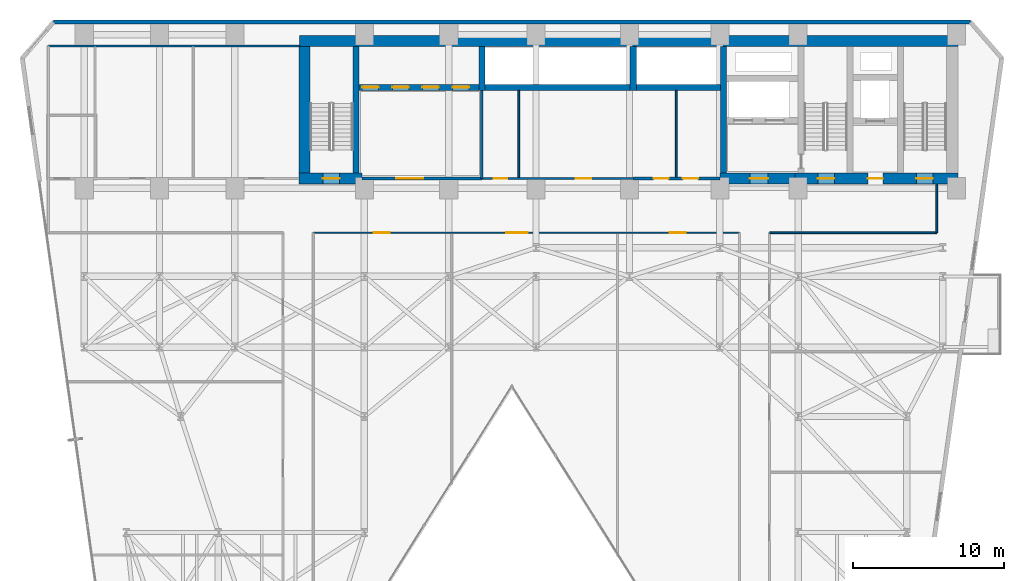
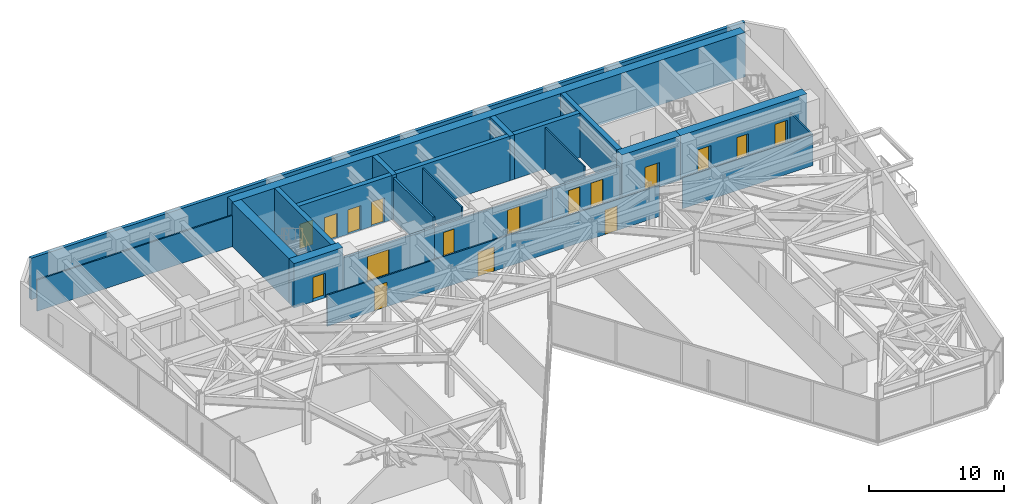
# One storey, part 20 of 25: 23 walls, 17 doors, 17 openings.
"""IFC4 building model written with IfcOpenShell, lengths in metres."""

from ifc_helpers import new_model, si_unit, direction, frame, frame_2d, origin, place, context, subcontext, project, spatial, rectangle, extrude, material, layer, layer_set, type_object, element, fill, save


model = new_model("IFC4")

# Units and contexts
model_context = context("Model", 3, precision=1e-05, world=origin(), true_north=direction((0.0, 1.0)))
body_context = subcontext(model_context, "Body", "Model", "MODEL_VIEW")
ifc_project = project(units=[si_unit("LENGTHUNIT", "METRE"), si_unit("AREAUNIT", "SQUARE_METRE"), si_unit("VOLUMEUNIT", "CUBIC_METRE"), si_unit("PLANEANGLEUNIT", "RADIAN"), si_unit("MASSUNIT", "GRAM", prefix="KILO")], contexts=[model_context])

# Site, building, storey
site_placement = place(None, origin())
site = spatial("IfcSite", under=ifc_project, at=site_placement, CompositionType="ELEMENT")
building_placement = place(site_placement, origin())
building = spatial("IfcBuilding", under=site, at=building_placement, Name="Kravanh Interchange Tower", CompositionType="ELEMENT")
storey_placement = place(building_placement, frame((0.0, 0.0, 41.5)))
storey = spatial("IfcBuildingStorey", under=building, at=storey_placement, Name="L09", CompositionType="ELEMENT", Elevation=41.5)

# Walls
ifc_material_1 = material(Name="Double Acoustic Gypsum Board and Mineral Wool")
ifc_layer_1 = layer(ifc_material_1, 0.1201171875)
ifc_layer_set_1 = layer_set([ifc_layer_1], Name="Acoustic Office Drywall Partition 120mm")
wall_type_1 = type_object("IfcWallType", Name="Acoustic Office Drywall Partition 120mm", PredefinedType="PARTITIONING", material=ifc_layer_set_1)
for number, where, z_axis, x_axis, name in (
    (1, (47.89990234375, 38.068115234375, 0.0), (0.0, 0.0, 1.0), (0.0, 1.0, 0.0), "L09 Interior Partition 2"),
    (2, (37.449951171875, 38.068115234375, 0.0), (0.0, 0.0, 1.0), (0.0, 1.0, 0.0), "L09 Interior Partition 6"),
):
    element("IfcWall", number, at=place(storey_placement, frame(where, z_axis=z_axis, x_axis=x_axis)), inside=storey, type_object=wall_type_1, Name=name, PredefinedType="PARTITIONING", context=body_context, shape_type="SweptSolid", body=[
        extrude(rectangle(XDim=5.77392578125, YDim=0.1201171875, at=frame_2d((2.886962890625, 0.0))), origin(), (0.0, 0.0, 1.0), 3.739990234375),
    ])
wall_1_placement = place(storey_placement, frame((6.219970703125, 46.800048828125, 0.0), z_axis=(0.0, 0.0, 1.0), x_axis=(1.0, 0.0, 0.0)))
element("IfcWall", 3, at=wall_1_placement, inside=storey, type_object=wall_type_1, Name="L09 Restroom North Enclosure 9", PredefinedType="PARTITIONING", context=body_context, shape_type="SweptSolid", body=[
    extrude(rectangle(XDim=16.679931640625, YDim=0.1201171875, at=frame_2d((8.33984375, 0.0))), origin(), (0.0, 0.0, 1.0), 2.81298828125),
])

# Wall, openings, doors
wall_2_placement = place(storey_placement, frame((23.800048828125, 34.39990234375, 0.0), z_axis=(0.0, 0.0, 1.0), x_axis=(1.0, 0.0, 0.0)))
wall_2 = element("IfcWall", 4, at=wall_2_placement, inside=storey, type_object=wall_type_1, Name="L09 Interior Partition 14", PredefinedType="PARTITIONING", context=body_context, shape_type="SweptSolid", body=[
    extrude(rectangle(XDim=28.300048828125, YDim=0.1201171875, at=frame_2d((14.14990234375, 0.0))), origin(), (0.0, 0.0, 1.0), 2.81298828125),
])
opening_1_placement = place(wall_2_placement, frame((4.03466796875, 0.0, 0.0)))
opening_1 = element("IfcOpeningElement", 5, at=opening_1_placement, cuts=wall_2, Name="Opening D-105", PredefinedType="OPENING", context=body_context, shape_type="SweptSolid", body=[
    extrude(rectangle(XDim=1.050048828125, YDim=2.199951171875, at=frame_2d((0.52490234375, 1.10009765625))), frame((0.0, 0.070068359375, 0.0), z_axis=(0.0, -1.0, 0.0), x_axis=(1.0, 0.0, 0.0)), (0.0, 0.0, 1.0), 0.14013671875),
])
opening_2_placement = place(wall_2_placement, frame((12.832275390625, 0.0, 0.0)))
opening_2 = element("IfcOpeningElement", 6, at=opening_2_placement, cuts=wall_2, Name="Opening DBL-140", PredefinedType="OPENING", context=body_context, shape_type="SweptSolid", body=[
    extrude(rectangle(XDim=1.39990234375, YDim=2.199951171875, at=frame_2d((0.699951171875, 1.10009765625))), frame((0.0, 0.070068359375, 0.0), z_axis=(0.0, -1.0, 0.0), x_axis=(1.0, 0.0, 0.0)), (0.0, 0.0, 1.0), 0.14013671875),
])
opening_3_placement = place(wall_2_placement, frame((23.6845703125, 0.0, 0.0)))
opening_3 = element("IfcOpeningElement", 7, at=opening_3_placement, cuts=wall_2, Name="Opening D-105", PredefinedType="OPENING", context=body_context, shape_type="SweptSolid", body=[
    extrude(rectangle(XDim=1.050048828125, YDim=2.199951171875, at=frame_2d((0.52490234375, 1.10009765625))), frame((0.0, 0.070068359375, 0.0), z_axis=(0.0, -1.0, 0.0), x_axis=(1.0, 0.0, 0.0)), (0.0, 0.0, 1.0), 0.14013671875),
])
ifc_material_2 = material(Name="Acoustic Bronze-Framed Glass", Category="glass")
door_type_1 = type_object("IfcDoorType", Name="Hospitality Lounge Double Door 1400x2200", OperationType="DOUBLE_DOOR_SINGLE_SWING", PredefinedType="DOOR", material=ifc_material_2)
door_1_placement = place(opening_2_placement, origin())
door_1 = element("IfcDoor", 8, at=door_1_placement, inside=storey, type_object=door_type_1, Name="L09 Design Studio Office Door", OperationType="DOUBLE_DOOR_SINGLE_SWING", OverallHeight=2.199951171875, OverallWidth=1.39990234375, PredefinedType="DOOR", context=body_context, shape_type="SweptSolid", body=[
    extrude(rectangle(XDim=1.39990234375, YDim=2.199951171875, at=frame_2d((0.699951171875, 1.10009765625))), frame((0.0, 0.02490234375, 0.0), z_axis=(0.0, -1.0, 0.0), x_axis=(1.0, 0.0, 0.0)), (0.0, 0.0, 1.0), 0.050048828125),
])
fill(opening_2, door_1)
ifc_material_3 = material(Name="Acoustic Glazed Oak and Aluminium", Category="aluminium")
door_type_2 = type_object("IfcDoorType", Name="Office Workplace Door 1050x2200", OperationType="NOTDEFINED", PredefinedType="DOOR", material=ifc_material_3)
door_2_placement = place(opening_1_placement, origin())
door_2 = element("IfcDoor", 9, at=door_2_placement, inside=storey, type_object=door_type_2, Name="L09 Central Townhall Meeting Hall Door", OperationType="SINGLE_SWING_RIGHT", OverallHeight=2.199951171875, OverallWidth=1.050048828125, PredefinedType="DOOR", context=body_context, shape_type="SweptSolid", body=[
    extrude(rectangle(XDim=1.050048828125, YDim=2.199951171875, at=frame_2d((0.52490234375, 1.10009765625))), frame((0.0, 0.02490234375, 0.0), z_axis=(0.0, -1.0, 0.0), x_axis=(1.0, 0.0, 0.0)), (0.0, 0.0, 1.0), 0.050048828125),
])
fill(opening_1, door_2)
door_3_placement = place(opening_3_placement, origin())
door_3 = element("IfcDoor", 10, at=door_3_placement, inside=storey, type_object=door_type_2, Name="L09 Espresso Pantry Kitchenette Door", OperationType="SINGLE_SWING_LEFT", OverallHeight=2.199951171875, OverallWidth=1.050048828125, PredefinedType="DOOR", context=body_context, shape_type="SweptSolid", body=[
    extrude(rectangle(XDim=1.050048828125, YDim=2.199951171875, at=frame_2d((0.52490234375, 1.10009765625))), frame((0.0, 0.02490234375, 0.0), z_axis=(0.0, -1.0, 0.0), x_axis=(1.0, 0.0, 0.0)), (0.0, 0.0, 1.0), 0.050048828125),
])
fill(opening_3, door_3)

# Walls
wall_3_placement = place(storey_placement, frame((54.10009765625, 34.39990234375, 0.0), z_axis=(0.0, 0.0, 1.0), x_axis=(1.0, 0.0, 0.0)))
element("IfcWall", 11, at=wall_3_placement, inside=storey, type_object=wall_type_1, Name="L09 Interior Partition 15", PredefinedType="PARTITIONING", context=body_context, shape_type="SweptSolid", body=[
    extrude(rectangle(XDim=11.099853515625, YDim=0.1201171875, at=frame_2d((5.5498046875, 0.0))), origin(), (0.0, 0.0, 1.0), 2.81298828125),
])
wall_4_placement = place(storey_placement, frame((65.199951171875, 34.39990234375, 0.0), z_axis=(0.0, 0.0, 1.0), x_axis=(0.0, 1.0, 0.0)))
element("IfcWall", 12, at=wall_4_placement, inside=storey, type_object=wall_type_1, Name="L09 Interior Partition 17", PredefinedType="PARTITIONING", context=body_context, shape_type="SweptSolid", body=[
    extrude(rectangle(XDim=3.217041015625, YDim=0.1201171875, at=frame_2d((1.6083984375, 0.0))), origin(), (0.0, 0.0, 1.0), 2.81298828125),
])
ifc_material_4 = material(Name="Concrete C80/95", Category="concrete")
ifc_layer_2 = layer(ifc_material_4, 0.39990234375)
ifc_layer_set_2 = layer_set([ifc_layer_2], Name="Core Shear Wall Concrete C80/95 400mm")
wall_type_2 = type_object("IfcWallType", Name="Core Shear Wall Concrete C80/95 400mm", PredefinedType="SHEAR", material=ifc_layer_set_2)
wall_5_placement = place(storey_placement, frame((51.050048828125, 38.375, 0.0), z_axis=(0.0, 0.0, 1.0), x_axis=(0.0, 1.0, 0.0)))
element("IfcWall", 13, at=wall_5_placement, inside=storey, type_object=wall_type_2, Name="L09 Firefighting Lobby West Wall", PredefinedType="SHEAR", context=body_context, shape_type="SweptSolid", body=[
    extrude(rectangle(XDim=8.375, YDim=0.39990234375, at=frame_2d((4.1875, 0.0))), origin(), (0.0, 0.0, 1.0), 4.0),
])
wall_6_placement = place(storey_placement, frame((45.25, 44.050048828125, 0.0), z_axis=(0.0, 0.0, 1.0), x_axis=(1.0, 0.0, 0.0)))
element("IfcWall", 14, at=wall_6_placement, inside=storey, type_object=wall_type_2, Name="L09 High-Rise Lift Shaft South Wall", PredefinedType="SHEAR", context=body_context, shape_type="SweptSolid", body=[
    extrude(rectangle(XDim=5.60009765625, YDim=0.39990234375, at=frame_2d((2.800048828125, 0.0))), origin(), (0.0, 0.0, 1.0), 4.0),
])
wall_7_placement = place(storey_placement, frame((45.050048828125, 43.85009765625, 0.0), z_axis=(0.0, 0.0, 1.0), x_axis=(0.0, 1.0, 0.0)))
element("IfcWall", 15, at=wall_7_placement, inside=storey, type_object=wall_type_2, Name="L09 High-Rise Lift Shaft West Wall", PredefinedType="SHEAR", context=body_context, shape_type="SweptSolid", body=[
    extrude(rectangle(XDim=2.89990234375, YDim=0.39990234375, at=frame_2d((1.449951171875, 0.0))), origin(), (0.0, 0.0, 1.0), 4.0),
])
wall_8_placement = place(storey_placement, frame((35.199951171875, 44.050048828125, 0.0), z_axis=(0.0, 0.0, 1.0), x_axis=(1.0, 0.0, 0.0)))
element("IfcWall", 16, at=wall_8_placement, inside=storey, type_object=wall_type_2, Name="L09 Mid-Rise Lift Shaft South Wall", PredefinedType="SHEAR", context=body_context, shape_type="SweptSolid", body=[
    extrude(rectangle(XDim=9.650146484375, YDim=0.39990234375, at=frame_2d((4.8251953125, 0.0))), origin(), (0.0, 0.0, 1.0), 4.0),
])
wall_9_placement = place(storey_placement, frame((35.0, 43.85009765625, 0.0), z_axis=(0.0, 0.0, 1.0), x_axis=(0.0, 1.0, 0.0)))
element("IfcWall", 17, at=wall_9_placement, inside=storey, type_object=wall_type_2, Name="L09 Mid-Rise Lift Shaft West Wall", PredefinedType="SHEAR", context=body_context, shape_type="SweptSolid", body=[
    extrude(rectangle(XDim=2.89990234375, YDim=0.39990234375, at=frame_2d((1.449951171875, 0.0))), origin(), (0.0, 0.0, 1.0), 4.0),
])

# Wall, openings, doors
wall_10_placement = place(storey_placement, frame((26.85009765625, 44.050048828125, 0.0), z_axis=(0.0, 0.0, 1.0), x_axis=(1.0, 0.0, 0.0)))
wall_10 = element("IfcWall", 18, at=wall_10_placement, inside=storey, type_object=wall_type_2, Name="L09 Low-Rise Lift Shaft South Wall", PredefinedType="SHEAR", context=body_context, shape_type="SweptSolid", body=[
    extrude(rectangle(XDim=7.949951171875, YDim=0.39990234375, at=frame_2d((3.97509765625, 0.0))), origin(), (0.0, 0.0, 1.0), 4.0),
])
opening_4_placement = place(wall_10_placement, frame((0.199951171875, 0.0, 0.0)))
opening_4 = element("IfcOpeningElement", 19, at=opening_4_placement, cuts=wall_10, Name="Opening LD01", PredefinedType="OPENING", context=body_context, shape_type="SweptSolid", body=[
    extrude(rectangle(XDim=1.10009765625, YDim=2.199951171875, at=frame_2d((0.550048828125, 1.10009765625))), frame((0.0, 0.2099609375, 0.0), z_axis=(0.0, -1.0, 0.0), x_axis=(1.0, 0.0, 0.0)), (0.0, 0.0, 1.0), 0.419921875),
])
opening_5_placement = place(wall_10_placement, frame((2.199951171875, 0.0, 0.0)))
opening_5 = element("IfcOpeningElement", 20, at=opening_5_placement, cuts=wall_10, Name="Opening LD01", PredefinedType="OPENING", context=body_context, shape_type="SweptSolid", body=[
    extrude(rectangle(XDim=1.10009765625, YDim=2.199951171875, at=frame_2d((0.550048828125, 1.10009765625))), frame((0.0, 0.2099609375, 0.0), z_axis=(0.0, -1.0, 0.0), x_axis=(1.0, 0.0, 0.0)), (0.0, 0.0, 1.0), 0.419921875),
])
opening_6_placement = place(wall_10_placement, frame((4.199951171875, 0.0, 0.0)))
opening_6 = element("IfcOpeningElement", 21, at=opening_6_placement, cuts=wall_10, Name="Opening LD01", PredefinedType="OPENING", context=body_context, shape_type="SweptSolid", body=[
    extrude(rectangle(XDim=1.10009765625, YDim=2.199951171875, at=frame_2d((0.550048828125, 1.10009765625))), frame((0.0, 0.2099609375, 0.0), z_axis=(0.0, -1.0, 0.0), x_axis=(1.0, 0.0, 0.0)), (0.0, 0.0, 1.0), 0.419921875),
])
opening_7_placement = place(wall_10_placement, frame((6.199951171875, 0.0, 0.0)))
opening_7 = element("IfcOpeningElement", 22, at=opening_7_placement, cuts=wall_10, Name="Opening LD01", PredefinedType="OPENING", context=body_context, shape_type="SweptSolid", body=[
    extrude(rectangle(XDim=1.10009765625, YDim=2.199951171875, at=frame_2d((0.550048828125, 1.10009765625))), frame((0.0, 0.2099609375, 0.0), z_axis=(0.0, -1.0, 0.0), x_axis=(1.0, 0.0, 0.0)), (0.0, 0.0, 1.0), 0.419921875),
])
ifc_material_5 = material(Name="Stainless Steel 304", Category="steel")
door_type_3 = type_object("IfcDoorType", Name="Passenger Lift Sliding Landing Door 1100x2200", OperationType="DOUBLE_DOOR_SLIDING", PredefinedType="DOOR", material=ifc_material_5)
door_4_placement = place(opening_4_placement, origin())
door_4 = element("IfcDoor", 23, at=door_4_placement, inside=storey, type_object=door_type_3, Name="L09 Lift LP-L1 Landing Door", OperationType="DOUBLE_DOOR_SLIDING", OverallHeight=2.199951171875, OverallWidth=1.10009765625, PredefinedType="DOOR", context=body_context, shape_type="SweptSolid", body=[
    extrude(rectangle(XDim=1.10009765625, YDim=2.199951171875, at=frame_2d((0.550048828125, 1.10009765625))), frame((0.0, 0.02490234375, 0.0), z_axis=(0.0, -1.0, 0.0), x_axis=(1.0, 0.0, 0.0)), (0.0, 0.0, 1.0), 0.050048828125),
])
fill(opening_4, door_4)
door_5_placement = place(opening_5_placement, origin())
door_5 = element("IfcDoor", 24, at=door_5_placement, inside=storey, type_object=door_type_3, Name="L09 Lift LP-L2 Landing Door", OperationType="DOUBLE_DOOR_SLIDING", OverallHeight=2.199951171875, OverallWidth=1.10009765625, PredefinedType="DOOR", context=body_context, shape_type="SweptSolid", body=[
    extrude(rectangle(XDim=1.10009765625, YDim=2.199951171875, at=frame_2d((0.550048828125, 1.10009765625))), frame((0.0, 0.02490234375, 0.0), z_axis=(0.0, -1.0, 0.0), x_axis=(1.0, 0.0, 0.0)), (0.0, 0.0, 1.0), 0.050048828125),
])
fill(opening_5, door_5)
door_6_placement = place(opening_6_placement, origin())
door_6 = element("IfcDoor", 25, at=door_6_placement, inside=storey, type_object=door_type_3, Name="L09 Lift LP-L3 Landing Door", OperationType="DOUBLE_DOOR_SLIDING", OverallHeight=2.199951171875, OverallWidth=1.10009765625, PredefinedType="DOOR", context=body_context, shape_type="SweptSolid", body=[
    extrude(rectangle(XDim=1.10009765625, YDim=2.199951171875, at=frame_2d((0.550048828125, 1.10009765625))), frame((0.0, 0.02490234375, 0.0), z_axis=(0.0, -1.0, 0.0), x_axis=(1.0, 0.0, 0.0)), (0.0, 0.0, 1.0), 0.050048828125),
])
fill(opening_6, door_6)
door_7_placement = place(opening_7_placement, origin())
door_7 = element("IfcDoor", 26, at=door_7_placement, inside=storey, type_object=door_type_3, Name="L09 Lift LP-L4 Landing Door", OperationType="DOUBLE_DOOR_SLIDING", OverallHeight=2.199951171875, OverallWidth=1.10009765625, PredefinedType="DOOR", context=body_context, shape_type="SweptSolid", body=[
    extrude(rectangle(XDim=1.10009765625, YDim=2.199951171875, at=frame_2d((0.550048828125, 1.10009765625))), frame((0.0, 0.02490234375, 0.0), z_axis=(0.0, -1.0, 0.0), x_axis=(1.0, 0.0, 0.0)), (0.0, 0.0, 1.0), 0.050048828125),
])
fill(opening_7, door_7)

# Walls
wall_11_placement = place(storey_placement, frame((26.64990234375, 38.375, 0.0), z_axis=(0.0, 0.0, 1.0), x_axis=(0.0, 1.0, 0.0)))
element("IfcWall", 27, at=wall_11_placement, inside=storey, type_object=wall_type_2, Name="L09 Stair ST3 East Shear Wall", PredefinedType="SHEAR", context=body_context, shape_type="SweptSolid", body=[
    extrude(rectangle(XDim=8.375, YDim=0.39990234375, at=frame_2d((4.1875, 0.0))), origin(), (0.0, 0.0, 1.0), 4.0),
])
ifc_material_6 = material(Name="Concrete C80/95", Category="concrete")
ifc_layer_3 = layer(ifc_material_6, 0.75)
ifc_layer_set_3 = layer_set([ifc_layer_3], Name="Core Shear Wall Concrete C80/95 750mm")
wall_type_3 = type_object("IfcWallType", Name="Core Shear Wall Concrete C80/95 750mm", PredefinedType="SHEAR", material=ifc_layer_set_3)
wall_12_placement = place(storey_placement, frame((22.89990234375, 47.125, 0.0), z_axis=(0.0, 0.0, 1.0), x_axis=(1.0, 0.0, 0.0)))
element("IfcWall", 28, at=wall_12_placement, inside=storey, type_object=wall_type_3, Name="L09 North Core Shear Wall", PredefinedType="SHEAR", context=body_context, shape_type="SweptSolid", body=[
    extrude(rectangle(XDim=43.7001953125, YDim=0.75, at=frame_2d((21.85009765625, 0.0))), origin(), (0.0, 0.0, 1.0), 4.0),
])

# Wall, openings, doors
wall_13_placement = place(storey_placement, frame((55.800048828125, 38.0, 0.0), z_axis=(0.0, 0.0, 1.0), x_axis=(1.0, 0.0, 0.0)))
wall_13 = element("IfcWall", 29, at=wall_13_placement, inside=storey, type_object=wall_type_3, Name="L09 East Core South Shear Wall", PredefinedType="SHEAR", context=body_context, shape_type="SweptSolid", body=[
    extrude(rectangle(XDim=10.800048828125, YDim=0.75, at=frame_2d((5.39990234375, 0.0))), origin(), (0.0, 0.0, 1.0), 4.0),
])
opening_8_placement = place(wall_13_placement, frame((1.5, 0.0, 0.0)))
opening_8 = element("IfcOpeningElement", 30, at=opening_8_placement, cuts=wall_13, Name="Opening D-STAIR-110", PredefinedType="OPENING", context=body_context, shape_type="SweptSolid", body=[
    extrude(rectangle(XDim=1.10009765625, YDim=2.199951171875, at=frame_2d((0.550048828125, 1.10009765625))), frame((0.0, 0.385009765625, 0.0), z_axis=(0.0, -1.0, 0.0), x_axis=(1.0, 0.0, 0.0)), (0.0, 0.0, 1.0), 0.77001953125),
])
opening_9_placement = place(wall_13_placement, frame((4.820068359375, 0.0, 0.0)))
opening_9 = element("IfcOpeningElement", 31, at=opening_9_placement, cuts=wall_13, Name="Opening D-HOTEL-100", PredefinedType="OPENING", context=body_context, shape_type="SweptSolid", body=[
    extrude(rectangle(XDim=1.0, YDim=2.14990234375, at=frame_2d((0.5, 1.074951171875))), frame((0.0, 0.385009765625, 0.0), z_axis=(0.0, -1.0, 0.0), x_axis=(1.0, 0.0, 0.0)), (0.0, 0.0, 1.0), 0.77001953125),
])
opening_10_placement = place(wall_13_placement, frame((8.050048828125, 0.0, 0.0)))
opening_10 = element("IfcOpeningElement", 32, at=opening_10_placement, cuts=wall_13, Name="Opening D-STAIR-110", PredefinedType="OPENING", context=body_context, shape_type="SweptSolid", body=[
    extrude(rectangle(XDim=1.10009765625, YDim=2.199951171875, at=frame_2d((0.550048828125, 1.10009765625))), frame((0.0, 0.385009765625, 0.0), z_axis=(0.0, -1.0, 0.0), x_axis=(1.0, 0.0, 0.0)), (0.0, 0.0, 1.0), 0.77001953125),
])
ifc_material_7 = material(Name="Structural Steel S355", Category="steel")
door_type_4 = type_object("IfcDoorType", Name="Fire-Rated Exit Stair Door 1100x2200", OperationType="NOTDEFINED", PredefinedType="DOOR", material=ifc_material_7)
door_8_placement = place(opening_8_placement, origin())
door_8 = element("IfcDoor", 33, at=door_8_placement, inside=storey, type_object=door_type_4, Name="L09 Exit Stair ST2 Door", OperationType="SINGLE_SWING_RIGHT", OverallHeight=2.199951171875, OverallWidth=1.10009765625, PredefinedType="DOOR", context=body_context, shape_type="SweptSolid", body=[
    extrude(rectangle(XDim=1.10009765625, YDim=2.199951171875, at=frame_2d((0.550048828125, 1.10009765625))), frame((0.0, 0.02490234375, 0.0), z_axis=(0.0, -1.0, 0.0), x_axis=(1.0, 0.0, 0.0)), (0.0, 0.0, 1.0), 0.050048828125),
])
fill(opening_8, door_8)
door_9_placement = place(opening_10_placement, origin())
door_9 = element("IfcDoor", 34, at=door_9_placement, inside=storey, type_object=door_type_4, Name="L09 Exit Stair ST1 Door", OperationType="SINGLE_SWING_RIGHT", OverallHeight=2.199951171875, OverallWidth=1.10009765625, PredefinedType="DOOR", context=body_context, shape_type="SweptSolid", body=[
    extrude(rectangle(XDim=1.10009765625, YDim=2.199951171875, at=frame_2d((0.550048828125, 1.10009765625))), frame((0.0, 0.02490234375, 0.0), z_axis=(0.0, -1.0, 0.0), x_axis=(1.0, 0.0, 0.0)), (0.0, 0.0, 1.0), 0.050048828125),
])
fill(opening_10, door_9)
ifc_material_8 = material(Name="Fire-Rated Solid Timber Leaf", Category="wood")
door_type_5 = type_object("IfcDoorType", Name="Fire-Rated Suite Entrance Door 1000x2150", OperationType="NOTDEFINED", PredefinedType="DOOR", material=ifc_material_8)
door_10_placement = place(opening_9_placement, origin())
door_10 = element("IfcDoor", 35, at=door_10_placement, inside=storey, type_object=door_type_5, Name="L09 Service Lift Lobby Door", OperationType="SINGLE_SWING_RIGHT", OverallHeight=2.14990234375, OverallWidth=1.0, PredefinedType="DOOR", context=body_context, shape_type="SweptSolid", body=[
    extrude(rectangle(XDim=1.0, YDim=2.14990234375, at=frame_2d((0.5, 1.074951171875))), frame((0.0, 0.02490234375, 0.0), z_axis=(0.0, -1.0, 0.0), x_axis=(1.0, 0.0, 0.0)), (0.0, 0.0, 1.0), 0.050048828125),
])
fill(opening_9, door_10)

# Wall, opening, door
wall_14_placement = place(storey_placement, frame((50.800048828125, 38.0, 0.0), z_axis=(0.0, 0.0, 1.0), x_axis=(1.0, 0.0, 0.0)))
wall_14 = element("IfcWall", 36, at=wall_14_placement, inside=storey, type_object=wall_type_3, Name="L09 Firefighting Lobby South Shear Wall", PredefinedType="SHEAR", context=body_context, shape_type="SweptSolid", body=[
    extrude(rectangle(XDim=5.0, YDim=0.75, at=frame_2d((2.5, 0.0))), origin(), (0.0, 0.0, 1.0), 4.0),
])
opening_11_placement = place(wall_14_placement, frame((2.0, 0.0, 0.0)))
opening_11 = element("IfcOpeningElement", 37, at=opening_11_placement, cuts=wall_14, Name="Opening D-FSAE-120", PredefinedType="OPENING", context=body_context, shape_type="SweptSolid", body=[
    extrude(rectangle(XDim=1.199951171875, YDim=2.199951171875, at=frame_2d((0.60009765625, 1.10009765625))), frame((0.0, 0.385009765625, 0.0), z_axis=(0.0, -1.0, 0.0), x_axis=(1.0, 0.0, 0.0)), (0.0, 0.0, 1.0), 0.77001953125),
])
ifc_material_9 = material(Name="Structural Steel S355", Category="steel")
door_type_6 = type_object("IfcDoorType", Name="Fire-Rated Refuge and FSAE Door 1200x2200", OperationType="NOTDEFINED", PredefinedType="DOOR", material=ifc_material_9)
door_11_placement = place(opening_11_placement, origin())
door_11 = element("IfcDoor", 38, at=door_11_placement, inside=storey, type_object=door_type_6, Name="L09 Firefighting Lobby Corridor Door", OperationType="SINGLE_SWING_RIGHT", OverallHeight=2.199951171875, OverallWidth=1.199951171875, PredefinedType="DOOR", context=body_context, shape_type="SweptSolid", body=[
    extrude(rectangle(XDim=1.199951171875, YDim=2.199951171875, at=frame_2d((0.60009765625, 1.10009765625))), frame((0.0, 0.02490234375, 0.0), z_axis=(0.0, -1.0, 0.0), x_axis=(1.0, 0.0, 0.0)), (0.0, 0.0, 1.0), 0.050048828125),
])
fill(opening_11, door_11)

wall_15_placement = place(storey_placement, frame((22.85009765625, 38.0, 0.0), z_axis=(0.0, 0.0, 1.0), x_axis=(1.0, 0.0, 0.0)))
wall_15 = element("IfcWall", 39, at=wall_15_placement, inside=storey, type_object=wall_type_3, Name="L09 Stair ST3 South Shear Wall", PredefinedType="SHEAR", context=body_context, shape_type="SweptSolid", body=[
    extrude(rectangle(XDim=4.199951171875, YDim=0.75, at=frame_2d((2.10009765625, 0.0))), origin(), (0.0, 0.0, 1.0), 4.0),
])
opening_12_placement = place(wall_15_placement, frame((1.60009765625, 0.0, 0.0)))
opening_12 = element("IfcOpeningElement", 40, at=opening_12_placement, cuts=wall_15, Name="Opening D-STAIR-110", PredefinedType="OPENING", context=body_context, shape_type="SweptSolid", body=[
    extrude(rectangle(XDim=1.10009765625, YDim=2.199951171875, at=frame_2d((0.550048828125, 1.10009765625))), frame((0.0, 0.385009765625, 0.0), z_axis=(0.0, -1.0, 0.0), x_axis=(1.0, 0.0, 0.0)), (0.0, 0.0, 1.0), 0.77001953125),
])
door_12_placement = place(opening_12_placement, origin())
door_12 = element("IfcDoor", 41, at=door_12_placement, inside=storey, type_object=door_type_4, Name="L09 Exit Stair ST3 Door", OperationType="SINGLE_SWING_RIGHT", OverallHeight=2.199951171875, OverallWidth=1.10009765625, PredefinedType="DOOR", context=body_context, shape_type="SweptSolid", body=[
    extrude(rectangle(XDim=1.10009765625, YDim=2.199951171875, at=frame_2d((0.550048828125, 1.10009765625))), frame((0.0, 0.02490234375, 0.0), z_axis=(0.0, -1.0, 0.0), x_axis=(1.0, 0.0, 0.0)), (0.0, 0.0, 1.0), 0.050048828125),
])
fill(opening_12, door_12)

# Walls
wall_16_placement = place(storey_placement, frame((23.22509765625, 38.375, 0.0), z_axis=(0.0, 0.0, 1.0), x_axis=(0.0, 1.0, 0.0)))
element("IfcWall", 42, at=wall_16_placement, inside=storey, type_object=wall_type_3, Name="L09 Stair ST3 West Shear Wall", PredefinedType="SHEAR", context=body_context, shape_type="SweptSolid", body=[
    extrude(rectangle(XDim=8.375, YDim=0.75, at=frame_2d((4.1875, 0.0))), origin(), (0.0, 0.0, 1.0), 4.0),
])
ifc_material_10 = material(Name="Insulated Precast Concrete C40/50 with Bronze Cladding", Category="concrete")
ifc_layer_4 = layer(ifc_material_10, 0.280029296875)
ifc_layer_set_4 = layer_set([ifc_layer_4], Name="Exterior Insulated Concrete C40/50 Bronze Spandrel Wall 280mm")
wall_type_4 = type_object("IfcWallType", Name="Exterior Insulated Concrete C40/50 Bronze Spandrel Wall 280mm", PredefinedType="STANDARD", material=ifc_layer_set_4)
wall_17_placement = place(storey_placement, frame((6.5546875, 48.3798828125, 0.0), z_axis=(0.0, 0.0, 1.0), x_axis=(1.0, 0.0, 0.0)))
element("IfcWall", 43, at=wall_17_placement, inside=storey, type_object=wall_type_4, Name="L09 Exterior Wall 3", PredefinedType="STANDARD", context=body_context, shape_type="SweptSolid", body=[
    extrude(rectangle(XDim=60.890625, YDim=0.280029296875, at=frame_2d((30.4453125, 0.0))), origin(), (0.0, 0.0, 1.0), 3.739990234375),
])

# Wall, openings, doors
ifc_material_11 = material(Name="Autoclaved Aerated Concrete C30/37 Blockwork", Category="masonry")
ifc_layer_5 = layer(ifc_material_11, 0.179931640625)
ifc_layer_set_5 = layer_set([ifc_layer_5], Name="Fire-Rated Lobby and Corridor Wall Concrete C30/37 180mm")
wall_type_5 = type_object("IfcWallType", Name="Fire-Rated Lobby and Corridor Wall Concrete C30/37 180mm", PredefinedType="STANDARD", material=ifc_layer_set_5)
wall_18_placement = place(storey_placement, frame((45.050048828125, 38.0, 0.0), z_axis=(0.0, 0.0, 1.0), x_axis=(1.0, 0.0, 0.0)))
wall_18 = element("IfcWall", 44, at=wall_18_placement, inside=storey, type_object=wall_type_5, Name="L09 Core South Enclosure 1", PredefinedType="STANDARD", context=body_context, shape_type="SweptSolid", body=[
    extrude(rectangle(XDim=5.75, YDim=0.179931640625, at=frame_2d((2.875, 0.0))), origin(), (0.0, 0.0, 1.0), 2.81298828125),
])
opening_13_placement = place(wall_18_placement, frame((1.35009765625, 0.0, 0.0)))
opening_13 = element("IfcOpeningElement", 45, at=opening_13_placement, cuts=wall_18, Name="Opening D-HOTEL-100", PredefinedType="OPENING", context=body_context, shape_type="SweptSolid", body=[
    extrude(rectangle(XDim=1.0, YDim=2.14990234375, at=frame_2d((0.5, 1.074951171875))), frame((0.0, 0.10009765625, 0.0), z_axis=(0.0, -1.0, 0.0), x_axis=(1.0, 0.0, 0.0)), (0.0, 0.0, 1.0), 0.199951171875),
])
opening_14_placement = place(wall_18_placement, frame((3.300048828125, 0.0, 0.0)))
opening_14 = element("IfcOpeningElement", 46, at=opening_14_placement, cuts=wall_18, Name="Opening D-HOTEL-100", PredefinedType="OPENING", context=body_context, shape_type="SweptSolid", body=[
    extrude(rectangle(XDim=1.0, YDim=2.14990234375, at=frame_2d((0.5, 1.074951171875))), frame((0.0, 0.10009765625, 0.0), z_axis=(0.0, -1.0, 0.0), x_axis=(1.0, 0.0, 0.0)), (0.0, 0.0, 1.0), 0.199951171875),
])
door_13_placement = place(opening_13_placement, origin())
door_13 = element("IfcDoor", 47, at=door_13_placement, inside=storey, type_object=door_type_5, Name="L09 Core Switchroom Door", OperationType="SINGLE_SWING_RIGHT", OverallHeight=2.14990234375, OverallWidth=1.0, PredefinedType="DOOR", context=body_context, shape_type="SweptSolid", body=[
    extrude(rectangle(XDim=1.0, YDim=2.14990234375, at=frame_2d((0.5, 1.074951171875))), frame((0.0, 0.02490234375, 0.0), z_axis=(0.0, -1.0, 0.0), x_axis=(1.0, 0.0, 0.0)), (0.0, 0.0, 1.0), 0.050048828125),
])
fill(opening_13, door_13)
door_14_placement = place(opening_14_placement, origin())
door_14 = element("IfcDoor", 48, at=door_14_placement, inside=storey, type_object=door_type_5, Name="L09 Core Archive Door", OperationType="SINGLE_SWING_LEFT", OverallHeight=2.14990234375, OverallWidth=1.0, PredefinedType="DOOR", context=body_context, shape_type="SweptSolid", body=[
    extrude(rectangle(XDim=1.0, YDim=2.14990234375, at=frame_2d((0.5, 1.074951171875))), frame((0.0, 0.02490234375, 0.0), z_axis=(0.0, -1.0, 0.0), x_axis=(1.0, 0.0, 0.0)), (0.0, 0.0, 1.0), 0.050048828125),
])
fill(opening_14, door_14)

# Wall
wall_19_placement = place(storey_placement, frame((35.0, 38.0, 0.0), z_axis=(0.0, 0.0, 1.0), x_axis=(0.0, 1.0, 0.0)))
element("IfcWall", 49, at=wall_19_placement, inside=storey, type_object=wall_type_5, Name="L09 Low-Rise Lobby East Wall 3", PredefinedType="STANDARD", context=body_context, shape_type="SweptSolid", body=[
    extrude(rectangle(XDim=5.85009765625, YDim=0.179931640625, at=frame_2d((2.925048828125, 0.0))), origin(), (0.0, 0.0, 1.0), 3.739990234375),
])

# Wall, opening, door
wall_20_placement = place(storey_placement, frame((27.050048828125, 38.0, 0.0), z_axis=(0.0, 0.0, 1.0), x_axis=(1.0, 0.0, 0.0)))
wall_20 = element("IfcWall", 50, at=wall_20_placement, inside=storey, type_object=wall_type_5, Name="L09 Low-Rise Lobby South Wall 4", PredefinedType="STANDARD", context=body_context, shape_type="SweptSolid", body=[
    extrude(rectangle(XDim=7.949951171875, YDim=0.179931640625, at=frame_2d((3.97509765625, 0.0))), origin(), (0.0, 0.0, 1.0), 2.81298828125),
])
opening_15_placement = place(wall_20_placement, frame((2.25, 0.0, 0.0)))
opening_15 = element("IfcOpeningElement", 51, at=opening_15_placement, cuts=wall_20, Name="Opening DBL-180", PredefinedType="OPENING", context=body_context, shape_type="SweptSolid", body=[
    extrude(rectangle(XDim=1.800048828125, YDim=2.199951171875, at=frame_2d((0.89990234375, 1.10009765625))), frame((0.0, 0.10009765625, 0.0), z_axis=(0.0, -1.0, 0.0), x_axis=(1.0, 0.0, 0.0)), (0.0, 0.0, 1.0), 0.199951171875),
])
ifc_material_12 = material(Name="Structural Steel S355", Category="steel")
door_type_7 = type_object("IfcDoorType", Name="Lift Lobby Double Fire Door 1800x2200", OperationType="DOUBLE_DOOR_SINGLE_SWING", PredefinedType="DOOR", material=ifc_material_12)
door_15_placement = place(opening_15_placement, origin())
door_15 = element("IfcDoor", 52, at=door_15_placement, inside=storey, type_object=door_type_7, Name="L09 Low-Rise Lift Lobby Door", OperationType="DOUBLE_DOOR_SINGLE_SWING", OverallHeight=2.199951171875, OverallWidth=1.800048828125, PredefinedType="DOOR", context=body_context, shape_type="SweptSolid", body=[
    extrude(rectangle(XDim=1.800048828125, YDim=2.199951171875, at=frame_2d((0.89990234375, 1.10009765625))), frame((0.0, 0.02490234375, 0.0), z_axis=(0.0, -1.0, 0.0), x_axis=(1.0, 0.0, 0.0)), (0.0, 0.0, 1.0), 0.050048828125),
])
fill(opening_15, door_15)

# Wall, openings, doors
ifc_material_13 = material(Name="Twin Stud Acoustic Gypsum Board Wall")
ifc_layer_6 = layer(ifc_material_13, 0.14990234375)
ifc_layer_set_6 = layer_set([ifc_layer_6], Name="Medium-Duty Acoustic Partition 150mm")
wall_type_6 = type_object("IfcWallType", Name="Medium-Duty Acoustic Partition 150mm", PredefinedType="PARTITIONING", material=ifc_layer_set_6)
wall_21_placement = place(storey_placement, frame((35.0, 38.0, 0.0), z_axis=(0.0, 0.0, 1.0), x_axis=(1.0, 0.0, 0.0)))
wall_21 = element("IfcWall", 53, at=wall_21_placement, inside=storey, type_object=wall_type_6, Name="L09 Core Support South Wall 5", PredefinedType="PARTITIONING", context=body_context, shape_type="SweptSolid", body=[
    extrude(rectangle(XDim=10.050048828125, YDim=0.14990234375, at=frame_2d((5.02490234375, 0.0))), origin(), (0.0, 0.0, 1.0), 2.81298828125),
])
opening_16_placement = place(wall_21_placement, frame((0.78466796875, 0.0, 0.0)))
opening_16 = element("IfcOpeningElement", 54, at=opening_16_placement, cuts=wall_21, Name="Opening D-90", PredefinedType="OPENING", context=body_context, shape_type="SweptSolid", body=[
    extrude(rectangle(XDim=0.89990234375, YDim=2.10009765625, at=frame_2d((0.449951171875, 1.050048828125))), frame((0.0, 0.0849609375, 0.0), z_axis=(0.0, -1.0, 0.0), x_axis=(1.0, 0.0, 0.0)), (0.0, 0.0, 1.0), 0.169921875),
])
opening_17_placement = place(wall_21_placement, frame((6.22509765625, 0.0, 0.0)))
opening_17 = element("IfcOpeningElement", 55, at=opening_17_placement, cuts=wall_21, Name="Opening D-105", PredefinedType="OPENING", context=body_context, shape_type="SweptSolid", body=[
    extrude(rectangle(XDim=1.050048828125, YDim=2.199951171875, at=frame_2d((0.52490234375, 1.10009765625))), frame((0.0, 0.0849609375, 0.0), z_axis=(0.0, -1.0, 0.0), x_axis=(1.0, 0.0, 0.0)), (0.0, 0.0, 1.0), 0.169921875),
])
door_16_placement = place(opening_17_placement, origin())
door_16 = element("IfcDoor", 56, at=door_16_placement, inside=storey, type_object=door_type_2, Name="L09 Tenant Pantry Door", OperationType="SINGLE_SWING_LEFT", OverallHeight=2.199951171875, OverallWidth=1.050048828125, PredefinedType="DOOR", context=body_context, shape_type="SweptSolid", body=[
    extrude(rectangle(XDim=1.050048828125, YDim=2.199951171875, at=frame_2d((0.52490234375, 1.10009765625))), frame((0.0, 0.02490234375, 0.0), z_axis=(0.0, -1.0, 0.0), x_axis=(1.0, 0.0, 0.0)), (0.0, 0.0, 1.0), 0.050048828125),
])
fill(opening_17, door_16)
ifc_material_14 = material(Name="Painted Solid-Core Timber", Category="wood")
door_type_8 = type_object("IfcDoorType", Name="Service Room Door 900x2100", OperationType="NOTDEFINED", PredefinedType="DOOR", material=ifc_material_14)
door_17_placement = place(opening_16_placement, origin())
door_17 = element("IfcDoor", 57, at=door_17_placement, inside=storey, type_object=door_type_8, Name="L09 Riser Store Door", OperationType="SINGLE_SWING_RIGHT", OverallHeight=2.10009765625, OverallWidth=0.89990234375, PredefinedType="DOOR", context=body_context, shape_type="SweptSolid", body=[
    extrude(rectangle(XDim=0.89990234375, YDim=2.10009765625, at=frame_2d((0.449951171875, 1.050048828125))), frame((0.0, 0.02490234375, 0.0), z_axis=(0.0, -1.0, 0.0), x_axis=(1.0, 0.0, 0.0)), (0.0, 0.0, 1.0), 0.050048828125),
])
fill(opening_16, door_17)

save(model, "model.ifc")
